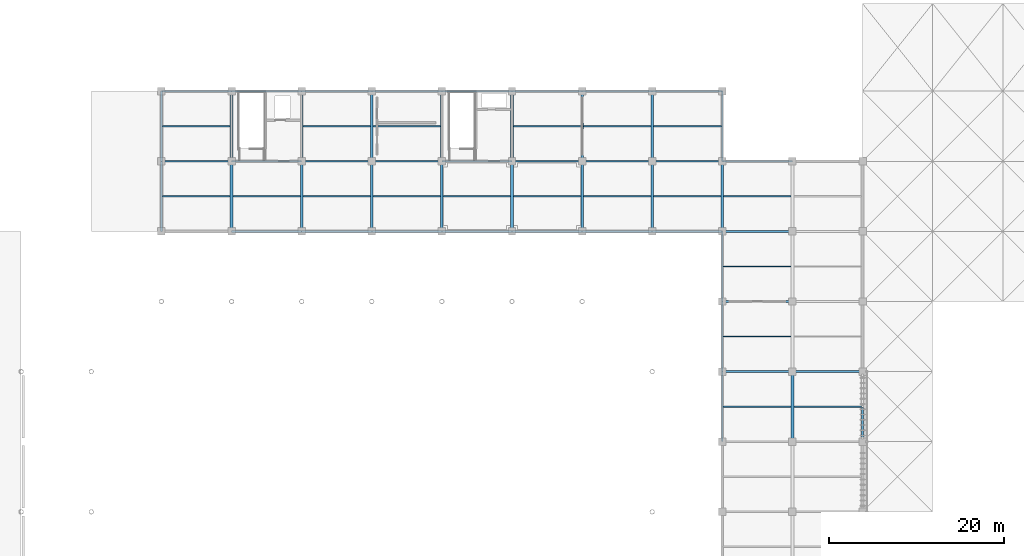
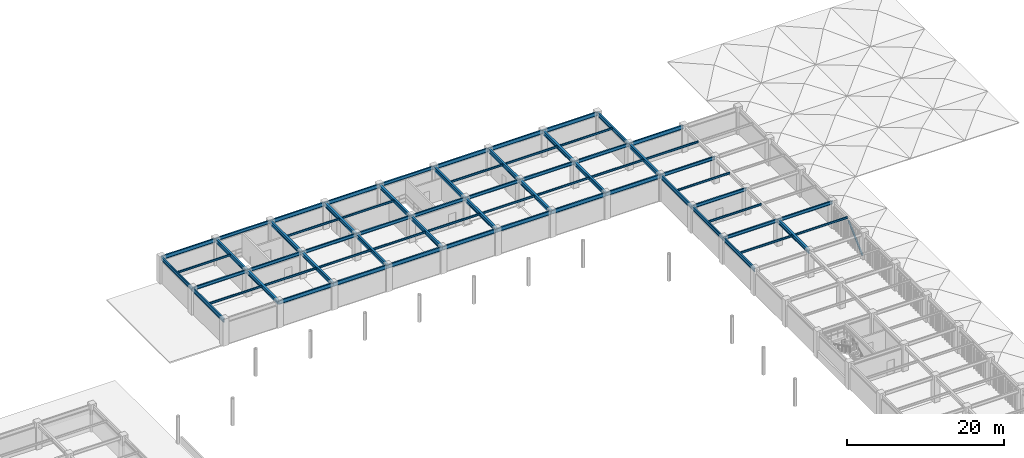
# One storey, part 37 of 78: 69 beams, 1 member.
"""IFC4 building model written with IfcOpenShell, lengths in metres."""

from ifc_helpers import new_model, si_unit, direction, frame, origin, origin_2d, place, context, subcontext, project, spatial, hollow_rectangle, i_section, extrude, material, material_profile, profile_set, type_object, element, save


model = new_model("IFC4")

# Units and contexts
model_context = context("Model", 3, precision=1e-05, world=origin(), true_north=direction((0.0, 1.0)))
body_context = subcontext(model_context, "Body", "Model", "MODEL_VIEW")
ifc_project = project(units=[si_unit("LENGTHUNIT", "METRE"), si_unit("AREAUNIT", "SQUARE_METRE"), si_unit("VOLUMEUNIT", "CUBIC_METRE"), si_unit("PLANEANGLEUNIT", "RADIAN"), si_unit("MASSUNIT", "GRAM", prefix="KILO")], contexts=[model_context])

# Site, building, storey
site_placement = place(None, origin())
site = spatial("IfcSite", under=ifc_project, at=site_placement, CompositionType="ELEMENT")
building_placement = place(site_placement, origin())
building = spatial("IfcBuilding", under=site, at=building_placement, Name="Haebicheon Civic Stadium", CompositionType="ELEMENT")
storey_placement = place(building_placement, frame((0.0, 0.0, 18.60009765625)))
storey = spatial("IfcBuildingStorey", under=building, at=storey_placement, Name="L05", CompositionType="ELEMENT", Elevation=18.60009765625)

# Beams
ifc_material_1 = material(Name="Steel SM355 (S355)", Category="steel")
ifc_material_profile_1 = material_profile(ifc_material_1, i_section(OverallWidth=0.199951171875, OverallDepth=0.5, WebThickness=0.010009765625, FlangeThickness=0.01611328125, at=origin_2d()), Name="H-500x200x10x16")
ifc_profile_set_1 = profile_set([ifc_material_profile_1], Name="Steel SM355 (S355)")
beam_type_1 = type_object("IfcBeamType", Name="BM-ST-H500", PredefinedType="BEAM", material=ifc_profile_set_1)
for number, where, z_axis, x_axis, name in (
    (1, (80.0, 160.0, 3.72998046875), (1.0, 0.0, 0.0), (0.0, 1.0, 0.0), "L05 beam W/11-12"),
    (2, (88.0, 160.0, 3.72998046875), (1.0, 0.0, 0.0), (0.0, 1.0, 0.0), "L05 beam W/12-13"),
    (3, (88.0, 168.0, 3.72998046875), (1.0, 0.0, 0.0), (0.0, 1.0, 0.0), "L05 beam X/12-13"),
    (4, (96.0, 160.0, 3.72998046875), (1.0, 0.0, 0.0), (0.0, 1.0, 0.0), "L05 beam W/13-14"),
    (5, (104.0, 160.0, 3.72998046875), (1.0, 0.0, 0.0), (0.0, 1.0, 0.0), "L05 beam W/14-15"),
    (6, (112.0, 160.0, 3.72998046875), (1.0, 0.0, 0.0), (0.0, 1.0, 0.0), "L05 beam W/15-16"),
    (7, (112.0, 168.0, 3.72998046875), (1.0, 0.0, 0.0), (0.0, 1.0, 0.0), "L05 beam X/15-16"),
    (8, (120.0, 160.0, 3.72998046875), (1.0, 0.0, 0.0), (0.0, 1.0, 0.0), "L05 beam W/16-17"),
    (9, (128.0, 160.0, 3.72998046875), (1.0, 0.0, 0.0), (0.0, 1.0, 0.0), "L05 beam W/17-18"),
    (10, (136.0, 160.0, 3.72998046875), (1.0, 0.0, 0.0), (0.0, 1.0, 0.0), "L05 beam W/18-19"),
    (11, (144.0, 136.0, 3.72998046875), (1.0, 0.0, 0.0), (0.0, 1.0, 0.0), "L05 beam T/19-20"),
    (12, (144.0, 144.0, 3.72998046875), (1.0, 0.0, 0.0), (0.0, 1.0, 0.0), "L05 beam U/19-20"),
    (13, (144.0, 152.0, 3.72998046875), (1.0, 0.0, 0.0), (0.0, 1.0, 0.0), "L05 beam V/19-20"),
    (14, (152.0, 136.0, 3.72998046875), (1.0, 0.0, 0.0), (0.0, 1.0, 0.0), "L05 beam T/20-21"),
):
    element("IfcBeam", number, at=place(storey_placement, frame(where, z_axis=z_axis, x_axis=x_axis)), inside=storey, type_object=beam_type_1, material=ifc_profile_set_1, Name=name, PredefinedType="BEAM", context=body_context, shape_type="SweptSolid", body=[
        extrude(i_section(OverallWidth=0.199951171875, OverallDepth=0.5, WebThickness=0.010009765625, FlangeThickness=0.01611328125, at=origin_2d()), origin(), (0.0, 0.0, 1.0), 8.0),
    ])
ifc_material_2 = material(Name="Steel SM355 (S355)", Category="steel")
ifc_material_profile_2 = material_profile(ifc_material_2, i_section(OverallWidth=0.300048828125, OverallDepth=0.60009765625, WebThickness=0.011962890625, FlangeThickness=0.02001953125, at=origin_2d()), Name="H-600x300x12x20")
ifc_profile_set_2 = profile_set([ifc_material_profile_2], Name="Steel SM355 (S355)")
beam_type_2 = type_object("IfcBeamType", Name="BM-ST-H600A", PredefinedType="BEAM", material=ifc_profile_set_2)
for number, where, z_axis, x_axis, name in (
    (15, (88.0, 152.0, 3.679931640625), (0.0, 1.0, 0.0), (-1.0, 0.0, 0.0), "L05 girder 12/V-W"),
    (16, (88.0, 160.0, 3.679931640625), (0.0, 1.0, 0.0), (-1.0, 0.0, 0.0), "L05 girder 12/W-X"),
    (17, (96.0, 152.0, 3.679931640625), (0.0, 1.0, 0.0), (-1.0, 0.0, 0.0), "L05 girder 13/V-W"),
    (18, (96.0, 160.0, 3.679931640625), (0.0, 1.0, 0.0), (-1.0, 0.0, 0.0), "L05 girder 13/W-X"),
    (19, (104.0, 152.0, 3.679931640625), (0.0, 1.0, 0.0), (-1.0, 0.0, 0.0), "L05 girder 14/V-W"),
    (20, (104.0, 160.0, 3.679931640625), (0.0, 1.0, 0.0), (-1.0, 0.0, 0.0), "L05 girder 14/W-X"),
    (21, (112.0, 152.0, 3.679931640625), (0.0, 1.0, 0.0), (-1.0, 0.0, 0.0), "L05 girder 15/V-W"),
    (22, (112.0, 160.0, 3.679931640625), (0.0, 1.0, 0.0), (-1.0, 0.0, 0.0), "L05 girder 15/W-X"),
    (23, (120.0, 152.0, 3.679931640625), (0.0, 1.0, 0.0), (-1.0, 0.0, 0.0), "L05 girder 16/V-W"),
    (24, (120.0, 160.0, 3.679931640625), (0.0, 1.0, 0.0), (-1.0, 0.0, 0.0), "L05 girder 16/W-X"),
    (25, (128.0, 152.0, 3.679931640625), (0.0, 1.0, 0.0), (-1.0, 0.0, 0.0), "L05 girder 17/V-W"),
    (26, (128.0, 160.0, 3.679931640625), (0.0, 1.0, 0.0), (-1.0, 0.0, 0.0), "L05 girder 17/W-X"),
    (27, (136.0, 152.0, 3.679931640625), (0.0, 1.0, 0.0), (-1.0, 0.0, 0.0), "L05 girder 18/V-W"),
    (28, (136.0, 160.0, 3.679931640625), (0.0, 1.0, 0.0), (-1.0, 0.0, 0.0), "L05 girder 18/W-X"),
    (29, (144.0, 152.0, 3.679931640625), (0.0, 1.0, 0.0), (-1.0, 0.0, 0.0), "L05 girder 19/V-W"),
    (30, (152.0, 128.0, 3.679931640625), (0.0, 1.0, 0.0), (-1.0, 0.0, 0.0), "L05 girder 20/S-T"),
):
    element("IfcBeam", number, at=place(storey_placement, frame(where, z_axis=z_axis, x_axis=x_axis)), inside=storey, type_object=beam_type_2, material=ifc_profile_set_2, Name=name, PredefinedType="BEAM", context=body_context, shape_type="SweptSolid", body=[
        extrude(i_section(OverallWidth=0.300048828125, OverallDepth=0.60009765625, WebThickness=0.011962890625, FlangeThickness=0.02001953125, at=origin_2d()), origin(), (0.0, 0.0, 1.0), 8.0),
    ])

# Member
ifc_material_3 = material(Name="Steel SM355 (S355)", Category="steel")
ifc_material_profile_3 = material_profile(ifc_material_3, hollow_rectangle(XDim=0.199951171875, YDim=0.199951171875, WallThickness=0.009033203125, at=origin_2d()), Name="RHS-200x200x9.0")
ifc_profile_set_3 = profile_set([ifc_material_profile_3], Name="Steel SM355 (S355)")
member_type = type_object("IfcMemberType", Name="BRC-RHS200", PredefinedType="BRACE", material=ifc_profile_set_3)
member_placement = place(storey_placement, frame((160.0, 128.419921875, 0.039794921875), z_axis=(0.0, 0.735278088986, 0.677765543427), x_axis=(-1.0, 0.0, 0.0)))
element("IfcMember", 31, at=member_placement, inside=storey, type_object=member_type, material=ifc_profile_set_3, Name="BR200 chevron brace L05 19-16 A", PredefinedType="BRACE", context=body_context, shape_type="SweptSolid", body=[
    extrude(hollow_rectangle(XDim=0.199951171875, YDim=0.199951171875, WallThickness=0.009033203125, at=origin_2d()), origin(), (0.0, 0.0, 1.0), 4.868896484375),
])

# Beams
ifc_material_4 = material(Name="Steel SM355 (S355)", Category="steel")
ifc_material_profile_4 = material_profile(ifc_material_4, i_section(OverallWidth=0.14990234375, OverallDepth=0.300048828125, WebThickness=0.006591796875, FlangeThickness=0.009033203125, at=origin_2d()), Name="H-300x150x6.5x9")
ifc_profile_set_4 = profile_set([ifc_material_profile_4], Name="Steel SM355 (S355)")
beam_type_3 = type_object("IfcBeamType", Name="JST-ST-H300", PredefinedType="JOIST", material=ifc_profile_set_4)
for number, where, z_axis, x_axis, name in (
    (32, (80.10009765625, 156.0, 3.829833984375), (1.0, 0.0, 0.0), (0.0, 1.0, 0.0), "L05 secondary joist 10-19"),
    (33, (80.10009765625, 164.0, 3.829833984375), (1.0, 0.0, 0.0), (0.0, 1.0, 0.0), "L05 secondary joist 10-20"),
):
    element("IfcBeam", number, at=place(storey_placement, frame(where, z_axis=z_axis, x_axis=x_axis)), inside=storey, type_object=beam_type_3, material=ifc_profile_set_4, Name=name, PredefinedType="JOIST", context=body_context, shape_type="SweptSolid", body=[
        extrude(i_section(OverallWidth=0.14990234375, OverallDepth=0.300048828125, WebThickness=0.006591796875, FlangeThickness=0.009033203125, at=origin_2d()), origin(), (0.0, 0.0, 1.0), 7.75),
    ])
for number, where, z_axis, x_axis, name in (
    (34, (88.14990234375, 156.0, 3.829833984375), (1.0, 0.0, 0.0), (0.0, 1.0, 0.0), "L05 secondary joist 11-19"),
    (35, (96.14990234375, 156.0, 3.829833984375), (1.0, 0.0, 0.0), (0.0, 1.0, 0.0), "L05 secondary joist 12-19"),
    (36, (96.14990234375, 164.0, 3.829833984375), (1.0, 0.0, 0.0), (0.0, 1.0, 0.0), "L05 secondary joist 12-20"),
    (37, (104.14990234375, 156.0, 3.829833984375), (1.0, 0.0, 0.0), (0.0, 1.0, 0.0), "L05 secondary joist 13-19"),
    (38, (104.14990234375, 164.0, 3.829833984375), (1.0, 0.0, 0.0), (0.0, 1.0, 0.0), "L05 secondary joist 13-20"),
    (39, (112.14990234375, 156.0, 3.829833984375), (1.0, 0.0, 0.0), (0.0, 1.0, 0.0), "L05 secondary joist 14-19"),
    (40, (120.14990234375, 156.0, 3.829833984375), (1.0, 0.0, 0.0), (0.0, 1.0, 0.0), "L05 secondary joist 15-19"),
    (41, (120.14990234375, 164.0, 3.829833984375), (1.0, 0.0, 0.0), (0.0, 1.0, 0.0), "L05 secondary joist 15-20"),
    (42, (128.14990234375, 156.0, 3.829833984375), (1.0, 0.0, 0.0), (0.0, 1.0, 0.0), "L05 secondary joist 16-19"),
    (43, (128.14990234375, 164.0, 3.829833984375), (1.0, 0.0, 0.0), (0.0, 1.0, 0.0), "L05 secondary joist 16-20"),
    (44, (136.14990234375, 156.0, 3.829833984375), (1.0, 0.0, 0.0), (0.0, 1.0, 0.0), "L05 secondary joist 17-19"),
):
    element("IfcBeam", number, at=place(storey_placement, frame(where, z_axis=z_axis, x_axis=x_axis)), inside=storey, type_object=beam_type_3, material=ifc_profile_set_4, Name=name, PredefinedType="JOIST", context=body_context, shape_type="SweptSolid", body=[
        extrude(i_section(OverallWidth=0.14990234375, OverallDepth=0.300048828125, WebThickness=0.006591796875, FlangeThickness=0.009033203125, at=origin_2d()), origin(), (0.0, 0.0, 1.0), 7.7001953125),
    ])
for number, where, z_axis, x_axis, name in (
    (45, (136.14990234375, 164.0, 3.829833984375), (1.0, 0.0, 0.0), (0.0, 1.0, 0.0), "L05 secondary joist 17-20"),
    (46, (144.10009765625, 132.0, 3.829833984375), (1.0, 0.0, 0.0), (0.0, 1.0, 0.0), "L05 secondary joist 18-16"),
    (47, (144.10009765625, 140.0, 3.829833984375), (1.0, 0.0, 0.0), (0.0, 1.0, 0.0), "L05 secondary joist 18-17"),
    (48, (144.10009765625, 148.0, 3.829833984375), (1.0, 0.0, 0.0), (0.0, 1.0, 0.0), "L05 secondary joist 18-18"),
):
    element("IfcBeam", number, at=place(storey_placement, frame(where, z_axis=z_axis, x_axis=x_axis)), inside=storey, type_object=beam_type_3, material=ifc_profile_set_4, Name=name, PredefinedType="JOIST", context=body_context, shape_type="SweptSolid", body=[
        extrude(i_section(OverallWidth=0.14990234375, OverallDepth=0.300048828125, WebThickness=0.006591796875, FlangeThickness=0.009033203125, at=origin_2d()), origin(), (0.0, 0.0, 1.0), 7.75),
    ])
beam_1_placement = place(storey_placement, frame((144.14990234375, 156.0, 3.829833984375), z_axis=(1.0, 0.0, 0.0), x_axis=(0.0, 1.0, 0.0)))
element("IfcBeam", 49, at=beam_1_placement, inside=storey, type_object=beam_type_3, material=ifc_profile_set_4, Name="L05 secondary joist 18-19", PredefinedType="JOIST", context=body_context, shape_type="SweptSolid", body=[
    extrude(i_section(OverallWidth=0.14990234375, OverallDepth=0.300048828125, WebThickness=0.006591796875, FlangeThickness=0.009033203125, at=origin_2d()), origin(), (0.0, 0.0, 1.0), 7.7001953125),
])
beam_2_placement = place(storey_placement, frame((152.14990234375, 132.0, 3.829833984375), z_axis=(1.0, 0.0, 0.0), x_axis=(0.0, 1.0, 0.0)))
element("IfcBeam", 50, at=beam_2_placement, inside=storey, type_object=beam_type_3, material=ifc_profile_set_4, Name="L05 secondary joist 19-16", PredefinedType="JOIST", context=body_context, shape_type="SweptSolid", body=[
    extrude(i_section(OverallWidth=0.14990234375, OverallDepth=0.300048828125, WebThickness=0.006591796875, FlangeThickness=0.009033203125, at=origin_2d()), origin(), (0.0, 0.0, 1.0), 7.75),
])
ifc_material_5 = material(Name="Steel SM355 (S355)", Category="steel")
ifc_material_profile_5 = material_profile(ifc_material_5, i_section(OverallWidth=0.199951171875, OverallDepth=0.60009765625, WebThickness=0.010986328125, FlangeThickness=0.01708984375, at=origin_2d()), Name="H-600x200x11x17")
ifc_profile_set_5 = profile_set([ifc_material_profile_5], Name="Steel SM355 (S355)")
beam_type_4 = type_object("IfcBeamType", Name="SPD-ST-H600B", PredefinedType="SPANDREL", material=ifc_profile_set_5)
for number, where, z_axis, x_axis, name in (
    (51, (80.0, 152.0, 3.679931640625), (0.0, 1.0, 0.0), (-1.0, 0.0, 0.0), "L05 girder 11/V-W"),
    (52, (80.0, 160.0, 3.679931640625), (0.0, 1.0, 0.0), (-1.0, 0.0, 0.0), "L05 girder 11/W-X"),
    (53, (144.0, 128.0, 3.679931640625), (0.0, 1.0, 0.0), (-1.0, 0.0, 0.0), "L05 girder 19/S-T"),
    (54, (144.0, 136.0, 3.679931640625), (0.0, 1.0, 0.0), (-1.0, 0.0, 0.0), "L05 girder 19/T-U"),
    (55, (144.0, 144.0, 3.679931640625), (0.0, 1.0, 0.0), (-1.0, 0.0, 0.0), "L05 girder 19/U-V"),
    (56, (144.0, 160.0, 3.679931640625), (0.0, 1.0, 0.0), (-1.0, 0.0, 0.0), "L05 girder 19/W-X"),
    (57, (80.0, 168.0, 3.679931640625), (1.0, 0.0, 0.0), (0.0, 1.0, 0.0), "L05 beam X/11-12"),
    (58, (88.0, 152.0, 3.679931640625), (1.0, 0.0, 0.0), (0.0, 1.0, 0.0), "L05 beam V/12-13"),
    (59, (96.0, 152.0, 3.679931640625), (1.0, 0.0, 0.0), (0.0, 1.0, 0.0), "L05 beam V/13-14"),
    (60, (96.0, 168.0, 3.679931640625), (1.0, 0.0, 0.0), (0.0, 1.0, 0.0), "L05 beam X/13-14"),
    (61, (104.0, 152.0, 3.679931640625), (1.0, 0.0, 0.0), (0.0, 1.0, 0.0), "L05 beam V/14-15"),
    (62, (104.0, 168.0, 3.679931640625), (1.0, 0.0, 0.0), (0.0, 1.0, 0.0), "L05 beam X/14-15"),
    (63, (112.0, 152.0, 3.679931640625), (1.0, 0.0, 0.0), (0.0, 1.0, 0.0), "L05 beam V/15-16"),
    (64, (120.0, 152.0, 3.679931640625), (1.0, 0.0, 0.0), (0.0, 1.0, 0.0), "L05 beam V/16-17"),
    (65, (120.0, 168.0, 3.679931640625), (1.0, 0.0, 0.0), (0.0, 1.0, 0.0), "L05 beam X/16-17"),
    (66, (128.0, 152.0, 3.679931640625), (1.0, 0.0, 0.0), (0.0, 1.0, 0.0), "L05 beam V/17-18"),
    (67, (128.0, 168.0, 3.679931640625), (1.0, 0.0, 0.0), (0.0, 1.0, 0.0), "L05 beam X/17-18"),
    (68, (136.0, 152.0, 3.679931640625), (1.0, 0.0, 0.0), (0.0, 1.0, 0.0), "L05 beam V/18-19"),
    (69, (136.0, 168.0, 3.679931640625), (1.0, 0.0, 0.0), (0.0, 1.0, 0.0), "L05 beam X/18-19"),
    (70, (144.0, 160.0, 3.679931640625), (1.0, 0.0, 0.0), (0.0, 1.0, 0.0), "L05 beam W/19-20"),
):
    element("IfcBeam", number, at=place(storey_placement, frame(where, z_axis=z_axis, x_axis=x_axis)), inside=storey, type_object=beam_type_4, material=ifc_profile_set_5, Name=name, PredefinedType="SPANDREL", context=body_context, shape_type="SweptSolid", body=[
        extrude(i_section(OverallWidth=0.199951171875, OverallDepth=0.60009765625, WebThickness=0.010986328125, FlangeThickness=0.01708984375, at=origin_2d()), origin(), (0.0, 0.0, 1.0), 8.0),
    ])

save(model, "model.ifc")
